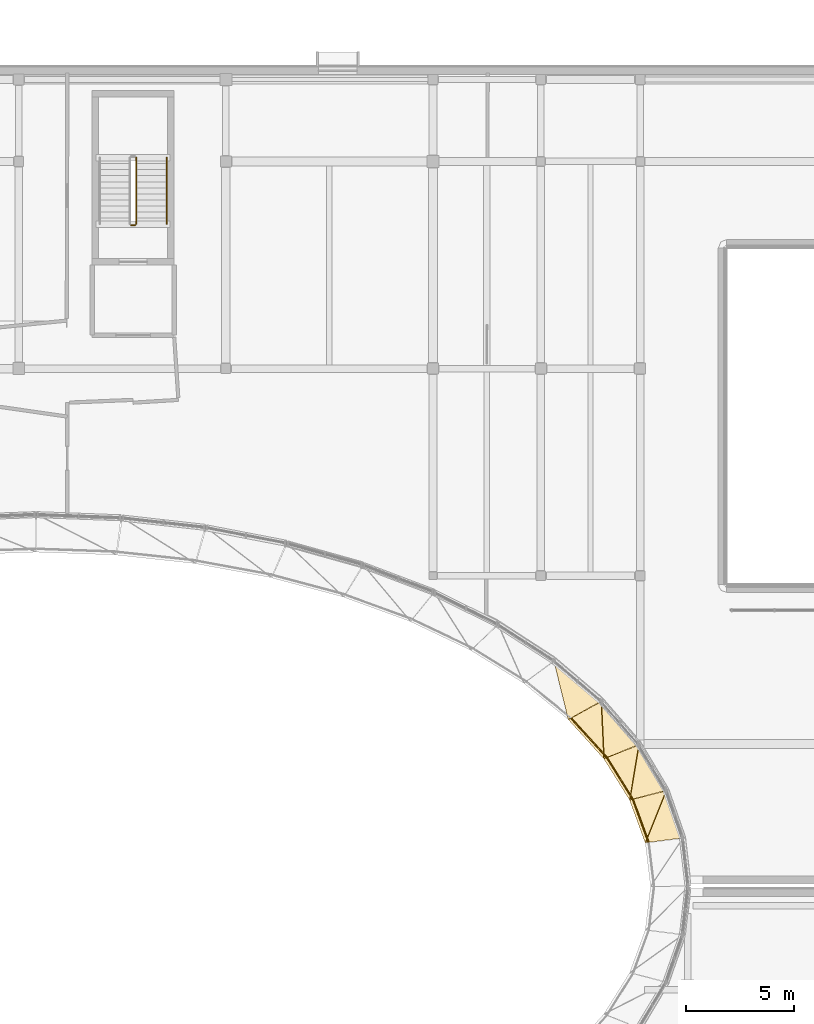
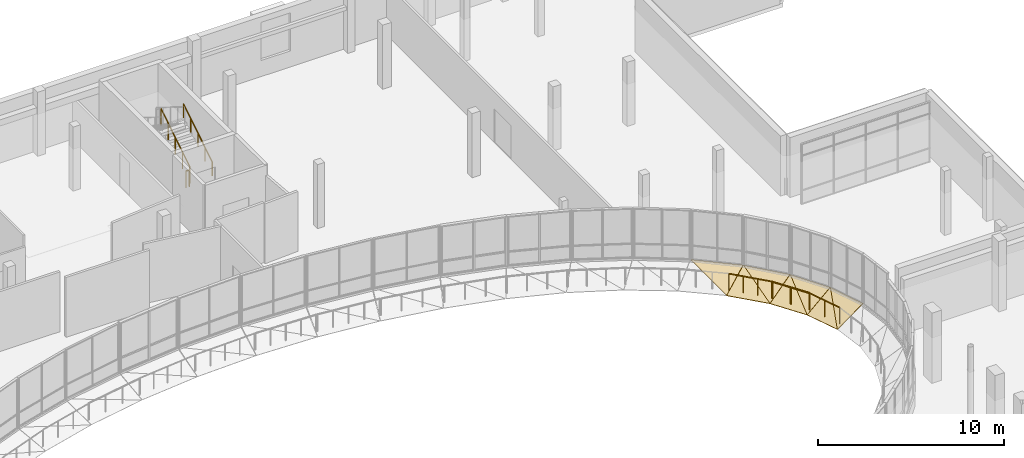
# One storey, part 70 of 73: 7 coverings, 6 railings.
"""IFC4 building model written with IfcOpenShell, lengths in metres."""

from ifc_helpers import new_model, si_unit, direction, frame, origin, origin_2d, place, context, subcontext, project, spatial, polyline, circle, outline, extrude, material, layer, layer_set, type_object, element, save


model = new_model("IFC4")

# Units and contexts
model_context = context("Model", 3, precision=1e-05, world=origin(), true_north=direction((0.0, 1.0)))
body_context = subcontext(model_context, "Body", "Model", "MODEL_VIEW")
ifc_project = project(units=[si_unit("LENGTHUNIT", "METRE"), si_unit("AREAUNIT", "SQUARE_METRE"), si_unit("VOLUMEUNIT", "CUBIC_METRE"), si_unit("PLANEANGLEUNIT", "RADIAN"), si_unit("MASSUNIT", "GRAM", prefix="KILO")], contexts=[model_context])

# Site, building, storey
site_placement = place(None, origin())
site = spatial("IfcSite", under=ifc_project, at=site_placement, CompositionType="ELEMENT")
building_placement = place(site_placement, origin())
building = spatial("IfcBuilding", under=site, at=building_placement, Name="Mzevani Central Library", CompositionType="ELEMENT")
storey_placement = place(building_placement, frame((0.0, 0.0, 9.60009765625)))
storey = spatial("IfcBuildingStorey", under=building, at=storey_placement, Name="L02", CompositionType="ELEMENT", Elevation=9.60009765625)

# Railings
ifc_material_1 = material(Name="Brushed stainless steel rail", Category="steel")
railing_type_1 = type_object("IfcRailingType", Name="Interior Gallery and Stair Guard 1100", PredefinedType="BALUSTRADE", material=ifc_material_1)
railing_1_placement = place(storey_placement, frame((88.64990234375, 106.699951171875, 0.1748046875)))
element("IfcRailing", 1, at=railing_1_placement, inside=storey, type_object=railing_type_1, Name="L02 ST-06 stair guard 1", PredefinedType="BALUSTRADE", context=body_context, shape_type="SweptSolid", body=[
    extrude(circle(Radius=0.02392578125, at=origin_2d()), frame((0.0, 0.0, 1.076171875), z_axis=(0.0, 0.847998304005, 0.529998940003), x_axis=(-1.0, 0.0, 0.0)), (0.0, 0.0, 1.0), 3.632080078125),
    extrude(circle(Radius=0.02099609375, at=origin_2d()), origin(), (0.0, 0.0, 1.0), 1.052001953125),
    extrude(circle(Radius=0.02099609375, at=origin_2d()), frame((0.0, 0.77001953125, 0.481201171875)), (0.0, 0.0, 1.0), 1.052001953125),
    extrude(circle(Radius=0.02099609375, at=origin_2d()), frame((0.0, 1.5400390625, 0.96240234375)), (0.0, 0.0, 1.0), 1.052001953125),
    extrude(circle(Radius=0.02099609375, at=origin_2d()), frame((0.0, 2.31005859375, 1.44384765625)), (0.0, 0.0, 1.0), 1.052001953125),
    extrude(circle(Radius=0.02099609375, at=origin_2d()), frame((0.0, 3.080078125, 1.925048828125)), (0.0, 0.0, 1.0), 1.052001953125),
])
railing_2_placement = place(storey_placement, frame((88.60009765625, 106.64990234375, 0.0)))
element("IfcRailing", 2, at=railing_2_placement, inside=storey, type_object=railing_type_1, Name="L02 ST-06 stair guard 4", PredefinedType="BALUSTRADE", context=body_context, shape_type="SweptSolid", body=[
    extrude(circle(Radius=0.02392578125, at=origin_2d()), frame((0.0, 0.0, 1.076171875), z_axis=(-1.0, 0.0, 0.0), x_axis=(0.0, -1.0, 0.0)), (0.0, 0.0, 1.0), 0.2001953125),
    extrude(circle(Radius=0.02099609375, at=origin_2d()), origin(), (0.0, 0.0, 1.0), 1.052001953125),
    extrude(circle(Radius=0.02099609375, at=origin_2d()), frame((-0.2001953125, 0.0, 0.0)), (0.0, 0.0, 1.0), 1.052001953125),
])

# Coverings
ifc_material_2 = material(Name="Limestone ashlar cladding", Category="masonry")
ifc_layer = layer(ifc_material_2, 0.050048828125, Name="Limestone Ashlar Spandrel Cladding")
ifc_layer_set = layer_set([ifc_layer], Name="Limestone ashlar cladding")
covering_type = type_object("IfcCoveringType", Name="Limestone Ashlar Spandrel Cladding", PredefinedType="CLADDING", material=ifc_layer_set)
covering_1_placement = place(storey_placement, frame((112.236572265625, 78.020263671875, -0.280029296875), z_axis=(-0.455633887717, -0.167030128736, 0.874356161103), x_axis=(-0.344189928554, 0.938900044244, 0.0)))
element("IfcCovering", 3, at=covering_1_placement, inside=storey, type_object=covering_type, Name="L02 Curved Court Spandrel Apron 2A", PredefinedType="CLADDING", context=body_context, shape_type="SweptSolid", body=[
    extrude(outline(polyline([(0.0, 0.0), (2.105969569387598, 0.0), (1.9290485686132501, -1.9781394470171674), (0.0, 0.0)])), origin(), (0.0, 0.0, -1.0), 0.06005859375),
])
covering_2_placement = place(storey_placement, frame((112.236572265625, 78.020263671875, -0.280029296875), z_axis=(-0.463486482429, -0.162583177729, 0.871060842264), x_axis=(0.347432125005, 0.870966036668, 0.347432125005)))
element("IfcCovering", 4, at=covering_2_placement, inside=storey, type_object=covering_type, Name="L02 Curved Court Spandrel Apron 2B", PredefinedType="CLADDING", context=body_context, shape_type="SweptSolid", body=[
    extrude(outline(polyline([(0.0, 0.0), (2.763017200799556, 1.1102230246251565e-16), (1.1280344801471227, -1.6361023595617041), (0.0, 0.0)])), origin(), (0.0, 0.0, -1.0), 0.06005859375),
])
covering_3_placement = place(storey_placement, frame((111.510986328125, 80.00341796875, -0.280029296875), z_axis=(-0.415396503163, -0.259808733628, 0.87174833931), x_axis=(-0.530271784497, 0.847827715144, 0.0)))
element("IfcCovering", 5, at=covering_3_placement, inside=storey, type_object=covering_type, Name="L02 Curved Court Spandrel Apron 3A", PredefinedType="CLADDING", context=body_context, shape_type="SweptSolid", body=[
    extrude(outline(polyline([(0.0, 0.0), (2.2518486402346767, 1.1102230246251565e-16), (1.9357322638071477, -1.9592882512749972), (0.0, 0.0)])), origin(), (0.0, 0.0, -1.0), 0.06005859375),
])
covering_4_placement = place(storey_placement, frame((111.510986328125, 80.00341796875, -0.280029296875), z_axis=(-0.427600540054, -0.255985632077, 0.866965474696), x_axis=(0.153083962784, 0.924708685444, 0.34853858811)))
element("IfcCovering", 6, at=covering_4_placement, inside=storey, type_object=covering_type, Name="L02 Curved Court Spandrel Apron 3B", PredefinedType="CLADDING", context=body_context, shape_type="SweptSolid", body=[
    extrude(outline(polyline([(0.0, 0.0), (2.7542457858238034, 1.6653345369377348e-16), (0.9988317652266225, -1.7175674107977268), (0.0, 0.0)])), origin(), (0.0, 0.0, -1.0), 0.06005859375),
])
covering_5_placement = place(storey_placement, frame((110.3154296875, 81.918701171875, -0.280029296875), z_axis=(-0.36585431981, -0.332460109684, 0.869264569706), x_axis=(-0.67252356476, 0.740075708858, 0.0)))
element("IfcCovering", 7, at=covering_5_placement, inside=storey, type_object=covering_type, Name="L02 Curved Court Spandrel Apron 4A", PredefinedType="CLADDING", context=body_context, shape_type="SweptSolid", body=[
    extrude(outline(polyline([(0.0, 0.0), (2.44313581314485, 0.0), (2.039067818609189, -1.9418761316414812), (0.0, 0.0)])), origin(), (0.0, 0.0, -1.0), 0.06005859375),
])
covering_6_placement = place(storey_placement, frame((110.3154296875, 81.918701171875, -0.280029296875), z_axis=(-0.380664338641, -0.331026640171, 0.863432698468), x_axis=(-0.043352045933, 0.939092018998, 0.340920489216)))
element("IfcCovering", 8, at=covering_6_placement, inside=storey, type_object=covering_type, Name="L02 Curved Court Spandrel Apron 4B", PredefinedType="CLADDING", context=body_context, shape_type="SweptSolid", body=[
    extrude(outline(polyline([(0.0, 0.0), (2.8157912705892314, 1.6653345369377348e-16), (0.8662632066618072, -1.7874698419575334), (0.0, 0.0)])), origin(), (0.0, 0.0, -1.0), 0.06005859375),
])
covering_7_placement = place(storey_placement, frame((108.67041015625, 83.7333984375, -0.280029296875), z_axis=(-0.328630553265, -0.387261921438, 0.861411727146), x_axis=(-0.225581176711, 0.917856253251, 0.326577756563)))
element("IfcCovering", 9, at=covering_7_placement, inside=storey, type_object=covering_type, Name="L02 Curved Court Spandrel Apron 5B", PredefinedType="CLADDING", context=body_context, shape_type="SweptSolid", body=[
    extrude(outline(polyline([(0.0, 0.0), (2.9394559739818265, -5.551115123125783e-17), (0.7495256528974306, -1.838540987741635), (0.0, 0.0)])), origin(), (0.0, 0.0, -1.0), 0.06005859375),
])

# Railings
railing_type_2 = type_object("IfcRailingType", Name="Stair Wall Handrail 920", PredefinedType="HANDRAIL", material=ifc_material_1)
railing_3_placement = place(storey_placement, frame((90.050048828125, 106.699951171875, 0.1748046875)))
element("IfcRailing", 10, at=railing_3_placement, inside=storey, type_object=railing_type_2, Name="L02 ST-06 stair handrail 1", PredefinedType="HANDRAIL", context=body_context, shape_type="SweptSolid", body=[
    extrude(circle(Radius=0.02392578125, at=origin_2d()), frame((0.0, 0.0, 0.89599609375), z_axis=(0.0, 0.847998304005, 0.529998940003), x_axis=(-1.0, 0.0, 0.0)), (0.0, 0.0, 1.0), 3.632080078125),
    extrude(circle(Radius=0.02099609375, at=origin_2d()), origin(), (0.0, 0.0, 1.0), 0.871826171875),
    extrude(circle(Radius=0.02099609375, at=origin_2d()), frame((0.0, 0.77001953125, 0.481201171875)), (0.0, 0.0, 1.0), 0.871826171875),
    extrude(circle(Radius=0.02099609375, at=origin_2d()), frame((0.0, 1.5400390625, 0.96240234375)), (0.0, 0.0, 1.0), 0.871826171875),
    extrude(circle(Radius=0.02099609375, at=origin_2d()), frame((0.0, 2.31005859375, 1.44384765625)), (0.0, 0.0, 1.0), 0.871826171875),
    extrude(circle(Radius=0.02099609375, at=origin_2d()), frame((0.0, 3.080078125, 1.925048828125)), (0.0, 0.0, 1.0), 0.871826171875),
])
ifc_material_3 = material(Name="Anodized architectural bronze")
railing_type_3 = type_object("IfcRailingType", Name="Terrace and Court Balustrade 1100", PredefinedType="BALUSTRADE", material=ifc_material_3)
railing_4_placement = place(storey_placement, frame((112.3955078125, 78.03759765625, 0.0)))
element("IfcRailing", 11, at=railing_4_placement, inside=storey, type_object=railing_type_3, Name="L02 Elliptical Court Terrace Guard 2", PredefinedType="BALUSTRADE", context=body_context, shape_type="SweptSolid", body=[
    extrude(circle(Radius=0.02392578125, at=origin_2d()), frame((0.0, 0.0, 1.076171875), z_axis=(-0.344087728137, 0.938937503429, 0.0), x_axis=(-0.938937503429, -0.344087728137, 0.0)), (0.0, 0.0, 1.0), 2.10595703125),
    extrude(circle(Radius=0.02099609375, at=origin_2d()), origin(), (0.0, 0.0, 1.0), 1.052001953125),
    extrude(circle(Radius=0.02099609375, at=origin_2d()), frame((-0.3623046875, 0.98876953125, 0.0)), (0.0, 0.0, 1.0), 1.052001953125),
    extrude(circle(Radius=0.02099609375, at=origin_2d()), frame((-0.724609375, 1.977294921875, 0.0)), (0.0, 0.0, 1.0), 1.052001953125),
])
railing_5_placement = place(storey_placement, frame((111.668212890625, 80.032470703125, 0.0)))
element("IfcRailing", 12, at=railing_5_placement, inside=storey, type_object=railing_type_3, Name="L02 Elliptical Court Terrace Guard 3", PredefinedType="BALUSTRADE", context=body_context, shape_type="SweptSolid", body=[
    extrude(circle(Radius=0.02392578125, at=origin_2d()), frame((0.0, 0.0, 1.076171875), z_axis=(-0.53032053051, 0.847797225119, 0.0), x_axis=(-0.847797225119, -0.53032053051, 0.0)), (0.0, 0.0, 1.0), 2.251708984375),
    extrude(circle(Radius=0.02099609375, at=origin_2d()), origin(), (0.0, 0.0, 1.0), 1.052001953125),
    extrude(circle(Radius=0.02099609375, at=origin_2d()), frame((-0.59716796875, 0.95458984375, 0.0)), (0.0, 0.0, 1.0), 1.052001953125),
    extrude(circle(Radius=0.02099609375, at=origin_2d()), frame((-1.194091796875, 1.908935546875, 0.0)), (0.0, 0.0, 1.0), 1.052001953125),
])
railing_6_placement = place(storey_placement, frame((110.469970703125, 81.960205078125, 0.0)))
element("IfcRailing", 13, at=railing_6_placement, inside=storey, type_object=railing_type_3, Name="L02 Elliptical Court Terrace Guard 4", PredefinedType="BALUSTRADE", context=body_context, shape_type="SweptSolid", body=[
    extrude(circle(Radius=0.02392578125, at=origin_2d()), frame((0.0, 0.0, 1.076171875), z_axis=(-0.67252356476, 0.740075708858, 0.0), x_axis=(-0.740075708858, -0.67252356476, 0.0)), (0.0, 0.0, 1.0), 2.443115234375),
    extrude(circle(Radius=0.02099609375, at=origin_2d()), origin(), (0.0, 0.0, 1.0), 1.052001953125),
    extrude(circle(Radius=0.02099609375, at=origin_2d()), frame((-0.547607421875, 0.602783203125, 0.0)), (0.0, 0.0, 1.0), 1.052001953125),
    extrude(circle(Radius=0.02099609375, at=origin_2d()), frame((-1.095458984375, 1.205322265625, 0.0)), (0.0, 0.0, 1.0), 1.052001953125),
    extrude(circle(Radius=0.02099609375, at=origin_2d()), frame((-1.64306640625, 1.80810546875, 0.0)), (0.0, 0.0, 1.0), 1.052001953125),
])

save(model, "model.ifc")
